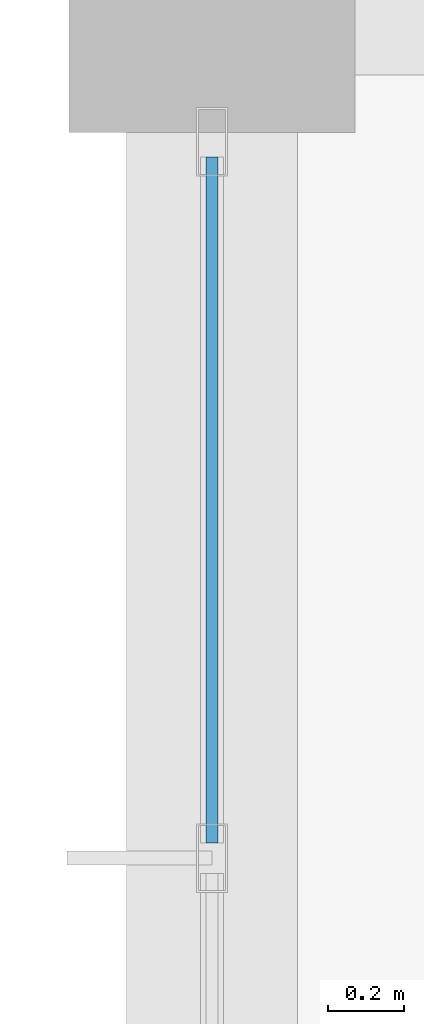
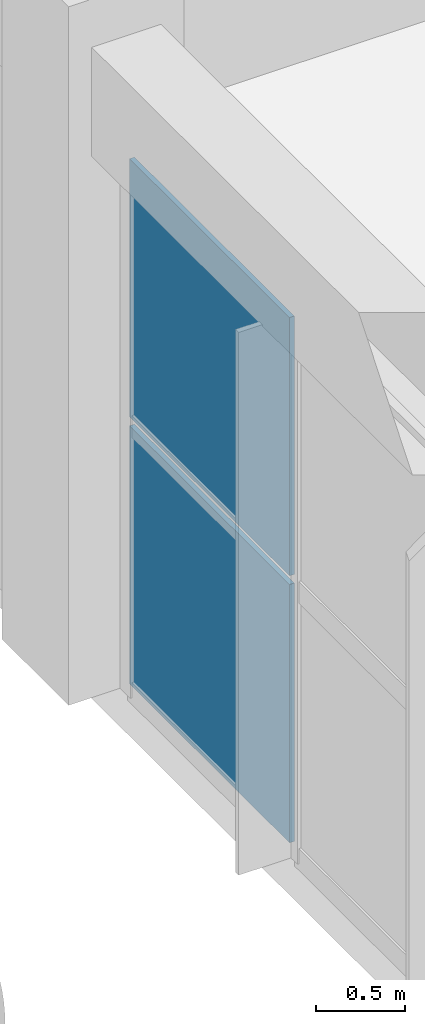
# One storey, part 135 of 167: 2 plates, 1 element without a shape of its own.
"""IFC4 building model written with IfcOpenShell, lengths in metres."""

from ifc_helpers import new_model, si_unit, direction, frame, origin, origin_2d, place, context, subcontext, project, spatial, rectangle, extrude, material, layer, layer_set, type_object, element, aggregate, save


model = new_model("IFC4")

# Units and contexts
model_context = context("Model", 3, precision=1e-05, world=origin(), true_north=direction((0.0, 1.0)))
body_context = subcontext(model_context, "Body", "Model", "MODEL_VIEW")
ifc_project = project(units=[si_unit("LENGTHUNIT", "METRE"), si_unit("AREAUNIT", "SQUARE_METRE"), si_unit("VOLUMEUNIT", "CUBIC_METRE"), si_unit("PLANEANGLEUNIT", "RADIAN"), si_unit("MASSUNIT", "GRAM", prefix="KILO")], contexts=[model_context])

# Site, building, storey
site_placement = place(None, origin())
site = spatial("IfcSite", under=ifc_project, at=site_placement, CompositionType="ELEMENT")
building_placement = place(site_placement, origin())
building = spatial("IfcBuilding", under=site, at=building_placement, Name="Zizhar Promenade General Hospital", CompositionType="ELEMENT")
storey_placement = place(building_placement, frame((0.0, 0.0, 9.60009765625)))
storey = spatial("IfcBuildingStorey", under=building, at=storey_placement, Name="L02", CompositionType="ELEMENT", Elevation=9.60009765625)

# Curtain wall, plates
ifc_material_1 = material(Name="Anodised aluminium 6063-T6 and low-E glass", Category="aluminium")
ifc_layer_1 = layer(ifc_material_1, 0.159912109375)
ifc_layer_set_1 = layer_set([ifc_layer_1], Name="Anodised aluminium 6063-T6 and low-E glass")
curtain_wall_type = type_object("IfcCurtainWallType", Name="CW-DT-MOD1", PredefinedType="NOTDEFINED", material=ifc_layer_set_1)
curtain_wall_placement = place(storey_placement, origin())
curtain_wall = element("IfcCurtainWall", 1, at=curtain_wall_placement, inside=storey, type_object=curtain_wall_type, Name="Surgical West Glazed Curtain Wall L02-14", PredefinedType="NOTDEFINED")
ifc_material_2 = material(Name="Low-E solar-control glass", Category="glass")
ifc_layer_2 = layer(ifc_material_2, 0.031982421875)
ifc_layer_set_2 = layer_set([ifc_layer_2], Name="Low-E solar-control glass")
plate_type = type_object("IfcPlateType", Name="CWP-GLZ-32", PredefinedType="CURTAIN_PANEL", material=ifc_layer_set_2)
plate_1_placement = place(storey_placement, frame((46.800048828125, 124.659912109375, 0.06005859375), z_axis=(0.0, 0.0, 1.0), x_axis=(0.0, 1.0, 0.0)))
plate_1 = element("IfcPlate", 2, at=plate_1_placement, type_object=plate_type, Name="CW-07 panel 4.1", PredefinedType="CURTAIN_PANEL", context=body_context, shape_type="SweptSolid", body=[
    extrude(rectangle(XDim=1.800048828125, YDim=0.031982421875, at=origin_2d()), origin(), (0.0, 0.0, 1.0), 1.77490234375),
])
plate_2_placement = place(storey_placement, frame((46.800048828125, 124.659912109375, 1.89501953125), z_axis=(0.0, 0.0, 1.0), x_axis=(0.0, 1.0, 0.0)))
plate_2 = element("IfcPlate", 3, at=plate_2_placement, type_object=plate_type, Name="CW-07 panel 4.2", PredefinedType="CURTAIN_PANEL", context=body_context, shape_type="SweptSolid", body=[
    extrude(rectangle(XDim=1.800048828125, YDim=0.031982421875, at=origin_2d()), origin(), (0.0, 0.0, 1.0), 1.77490234375),
])
aggregate(curtain_wall, [plate_1, plate_2])

save(model, "model.ifc")
